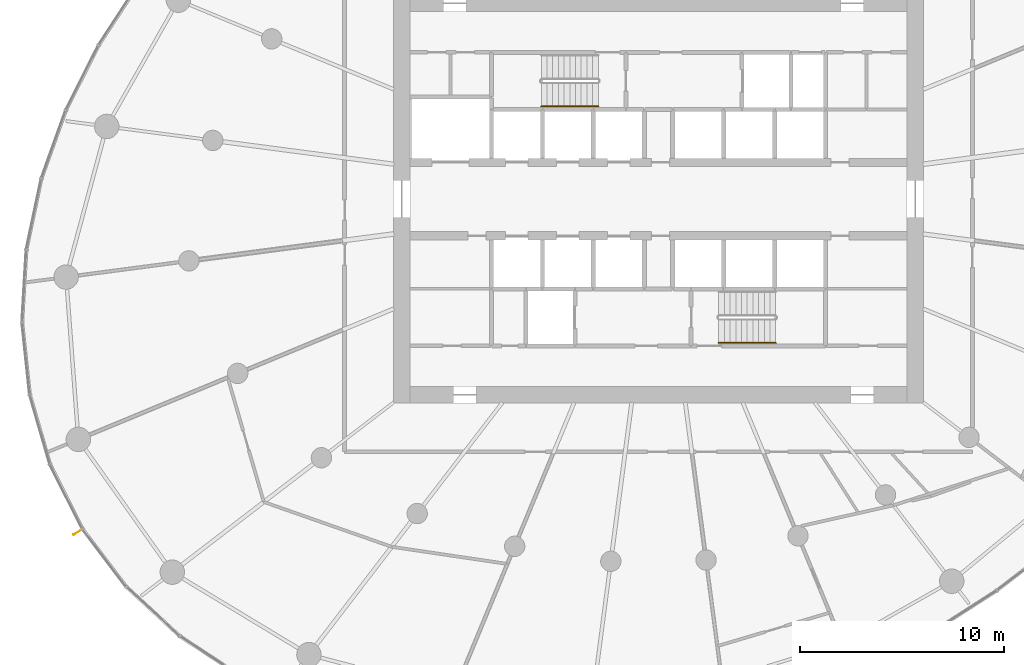
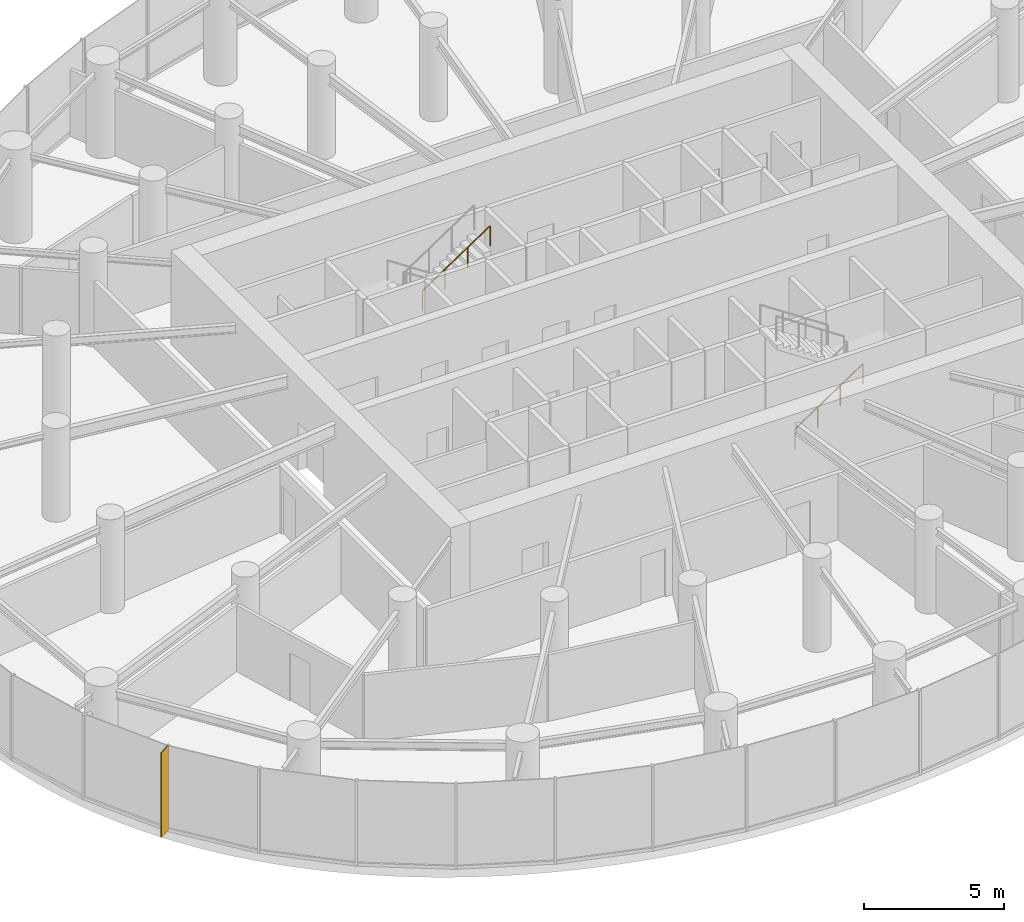
# One storey, part 15 of 17: 2 railings, 1 shading device.
"""IFC4 building model written with IfcOpenShell, lengths in metres."""

from ifc_helpers import new_model, si_unit, direction, frame, origin, origin_2d, place, context, subcontext, project, spatial, rectangle, circle, extrude, source, transform, mapped, material, material_profile, profile_set, type_object, element, save


model = new_model("IFC4")

# Units and contexts
model_context = context("Model", 3, precision=1e-05, world=origin(), true_north=direction((0.0, 1.0)))
body_context = subcontext(model_context, "Body", "Model", "MODEL_VIEW")
ifc_project = project(units=[si_unit("LENGTHUNIT", "METRE"), si_unit("AREAUNIT", "SQUARE_METRE"), si_unit("VOLUMEUNIT", "CUBIC_METRE"), si_unit("PLANEANGLEUNIT", "RADIAN"), si_unit("MASSUNIT", "GRAM", prefix="KILO")], contexts=[model_context])

# Site, building, storey
site_placement = place(None, origin())
site = spatial("IfcSite", under=ifc_project, at=site_placement, CompositionType="ELEMENT")
building_placement = place(site_placement, origin())
building = spatial("IfcBuilding", under=site, at=building_placement, Name="Spindrift Exchange Tower", CompositionType="ELEMENT")
storey_placement = place(building_placement, frame((0.0, 0.0, 104.39990234375)))
storey = spatial("IfcBuildingStorey", under=building, at=storey_placement, Name="L24", CompositionType="ELEMENT", Elevation=104.39990234375)

# Railings
ifc_material_1 = material(Name="Steel tubular handrail", Category="steel")
railing_type = type_object("IfcRailingType", Name="RL-STAIR-HAND", PredefinedType="HANDRAIL", material=ifc_material_1)
for number, where, name in (
    (1, (46.25, 52.550048828125, 2.236572265625), "L24 ST1 stair handrail 2"),
    (2, (54.949951171875, 40.949951171875, 0.1865234375), "L24 ST2 stair handrail 1"),
):
    element("IfcRailing", number, at=place(storey_placement, frame(where)), inside=storey, type_object=railing_type, Name=name, PredefinedType="HANDRAIL", context=body_context, shape_type="SweptSolid", body=[
        extrude(circle(Radius=0.02392578125, at=origin_2d()), frame((0.0, 0.0, 0.8759765625), z_axis=(0.832485552168, 0.0, 0.554046753832), x_axis=(0.0, 1.0, 0.0)), (0.0, 0.0, 1.0), 3.363525390625),
        extrude(circle(Radius=0.02099609375, at=origin_2d()), origin(), (0.0, 0.0, 1.0), 0.851806640625),
        extrude(circle(Radius=0.02099609375, at=origin_2d()), frame((0.933349609375, 0.0, 0.62109375)), (0.0, 0.0, 1.0), 0.851806640625),
        extrude(circle(Radius=0.02099609375, at=origin_2d()), frame((1.86669921875, 0.0, 1.242431640625)), (0.0, 0.0, 1.0), 0.851806640625),
        extrude(circle(Radius=0.02099609375, at=origin_2d()), frame((2.800048828125, 0.0, 1.863525390625)), (0.0, 0.0, 1.0), 0.851806640625),
    ])

# Shading device
ifc_material_2 = material(Name="Bronze anodised aluminium", Category="aluminium")
ifc_material_profile = material_profile(ifc_material_2, rectangle(XDim=0.030029296875, YDim=0.550048828125, at=origin_2d()), Name="WIND FIN 30X550")
ifc_profile_set = profile_set([ifc_material_profile], Name="Bronze anodised aluminium")
shading_device_type = type_object("IfcShadingDeviceType", Name="WIND FIN 30X550", PredefinedType="USERDEFINED", material=ifc_profile_set)
shared_shape = source(origin(), body_context, "Body", "SweptSolid", [
    extrude(rectangle(XDim=0.030029296875, YDim=0.550048828125, at=origin_2d()), origin(), (0.0, 0.0, 1.0), 3.7001953125),
])
shading_device_placement = place(storey_placement, frame((23.53759765625, 31.681396484375, 0.0), z_axis=(0.0, 0.0, 1.0), x_axis=(0.52887685778, -0.848698573879, 0.0)))
element("IfcShadingDevice", 3, at=shading_device_placement, inside=storey, type_object=shading_device_type, Name="L24 wind fin 1", ObjectType="FIN", PredefinedType="USERDEFINED", context=body_context, shape_type="MappedRepresentation", body=[
    mapped(shared_shape, transform((0.0, 0.0, 0.0), scale=1.0)),
])

save(model, "model.ifc")
